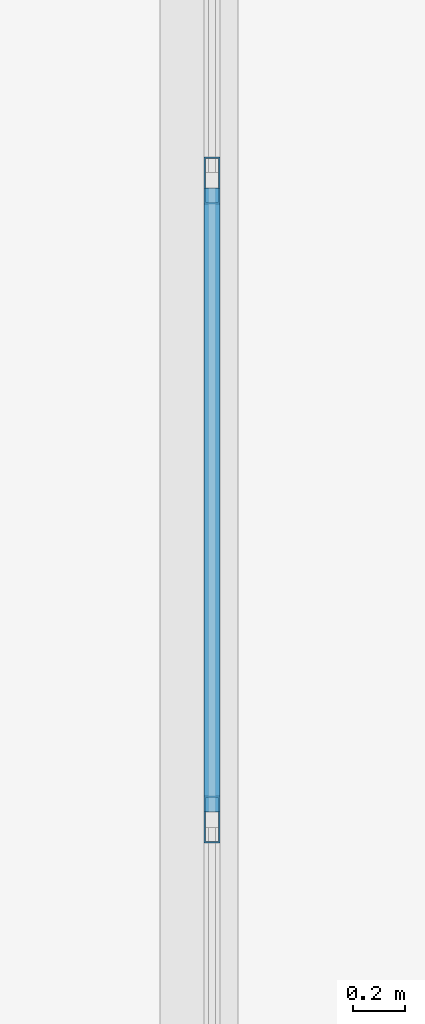
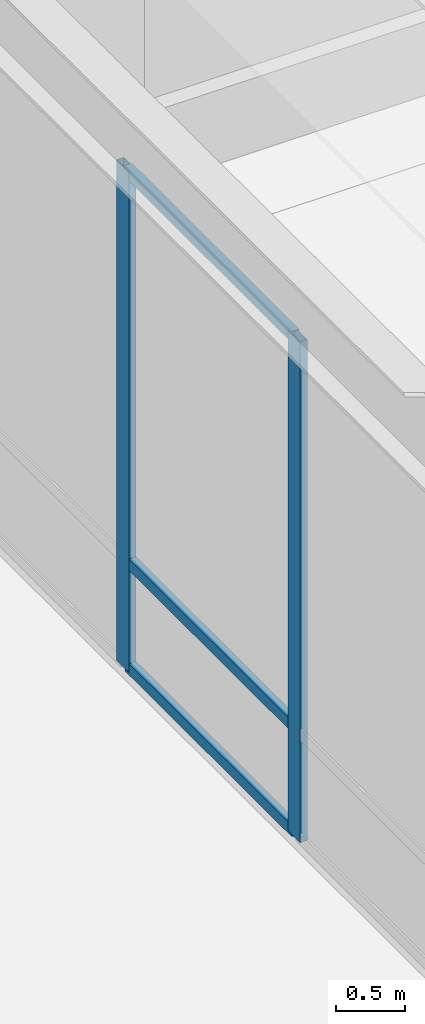
# One storey, part 82 of 143: 5 members, 1 element without a shape of its own.
"""IFC4 building model written with IfcOpenShell, lengths in metres."""

from ifc_helpers import new_model, si_unit, direction, frame, origin, origin_2d, place, context, subcontext, project, spatial, hollow_rectangle, extrude, material, layer, layer_set, material_profile, profile_set, type_object, element, aggregate, save


model = new_model("IFC4")

# Units and contexts
model_context = context("Model", 3, precision=1e-05, world=origin(), true_north=direction((0.0, 1.0)))
body_context = subcontext(model_context, "Body", "Model", "MODEL_VIEW")
ifc_project = project(units=[si_unit("LENGTHUNIT", "METRE"), si_unit("AREAUNIT", "SQUARE_METRE"), si_unit("VOLUMEUNIT", "CUBIC_METRE"), si_unit("PLANEANGLEUNIT", "RADIAN"), si_unit("MASSUNIT", "GRAM", prefix="KILO")], contexts=[model_context])

# Site, building, storey
site_placement = place(None, origin())
site = spatial("IfcSite", under=ifc_project, at=site_placement, CompositionType="ELEMENT")
building_placement = place(site_placement, origin())
building = spatial("IfcBuilding", under=site, at=building_placement, Name="Montelvaro Courts of Justice", CompositionType="ELEMENT")
storey_placement = place(building_placement, origin())
storey = spatial("IfcBuildingStorey", under=building, at=storey_placement, Name="L00", CompositionType="ELEMENT", Elevation=0.0)

# Curtain wall, members
ifc_material = material(Name="Anodised aluminium EN AW-6063", Category="aluminium")
ifc_layer = layer(ifc_material, 0.159912109375)
ifc_layer_set = layer_set([ifc_layer], Name="Anodised aluminium EN AW-6063")
curtain_wall_type = type_object("IfcCurtainWallType", Name="CurtainWall_02_1727x508", PredefinedType="USERDEFINED", material=ifc_layer_set)
curtain_wall_placement = place(storey_placement, origin())
curtain_wall = element("IfcCurtainWall", 1, at=curtain_wall_placement, inside=storey, type_object=curtain_wall_type, Name="Curtain Wall CW-02 (L00)", ObjectType="CURTAIN WALL", PredefinedType="USERDEFINED")
ifc_material_profile_1 = material_profile(ifc_material, hollow_rectangle(XDim=0.06005859375, YDim=0.179931640625, WallThickness=0.00439453125, at=origin_2d()), Name="ALU-M 60x180")
ifc_profile_set_1 = profile_set([ifc_material_profile_1], Name="Anodised aluminium EN AW-6063")
member_type_1 = type_object("IfcMemberType", Name="CurtainWall_Mullion_60x180", PredefinedType="MULLION", material=ifc_profile_set_1)
member_1_placement = place(storey_placement, frame((99.050048828125, 90.70068359375, 0.0), z_axis=(0.0, 0.0, 1.0), x_axis=(1.0, 0.0, 0.0)))
member_1 = element("IfcMember", 2, at=member_1_placement, type_object=member_type_1, Name="CW-02 mullion 3", PredefinedType="MULLION", context=body_context, shape_type="SweptSolid", body=[
    extrude(hollow_rectangle(XDim=0.06005859375, YDim=0.179931640625, WallThickness=0.00439453125, at=origin_2d()), origin(), (0.0, 0.0, 1.0), 4.405029296875),
])
member_2_placement = place(storey_placement, frame((99.050048828125, 88.233642578125, 0.0), z_axis=(0.0, 0.0, 1.0), x_axis=(1.0, 0.0, 0.0)))
member_2 = element("IfcMember", 3, at=member_2_placement, type_object=member_type_1, Name="CW-02 mullion 4", PredefinedType="MULLION", context=body_context, shape_type="SweptSolid", body=[
    extrude(hollow_rectangle(XDim=0.06005859375, YDim=0.179931640625, WallThickness=0.00439453125, at=origin_2d()), origin(), (0.0, 0.0, 1.0), 4.405029296875),
])
ifc_material_profile_2 = material_profile(ifc_material, hollow_rectangle(XDim=0.06005859375, YDim=0.10009765625, WallThickness=0.00341796875, at=origin_2d()), Name="ALU-T 60x100")
ifc_profile_set_2 = profile_set([ifc_material_profile_2], Name="Anodised aluminium EN AW-6063")
member_type_2 = type_object("IfcMemberType", Name="CurtainWall_Transom_60x100", PredefinedType="USERDEFINED", material=ifc_profile_set_2)
member_3_placement = place(storey_placement, frame((99.050048828125, 90.670654296875, 0.030029296875), z_axis=(0.0, -1.0, 0.0), x_axis=(1.0, 0.0, 0.0)))
member_3 = element("IfcMember", 4, at=member_3_placement, type_object=member_type_2, Name="CW-02 transom 3.1", ObjectType="TRANSOM", PredefinedType="USERDEFINED", context=body_context, shape_type="SweptSolid", body=[
    extrude(hollow_rectangle(XDim=0.06005859375, YDim=0.10009765625, WallThickness=0.00341796875, at=origin_2d()), origin(), (0.0, 0.0, 1.0), 2.406982421875),
])
member_4_placement = place(storey_placement, frame((99.050048828125, 90.670654296875, 0.949951171875), z_axis=(0.0, -1.0, 0.0), x_axis=(1.0, 0.0, 0.0)))
member_4 = element("IfcMember", 5, at=member_4_placement, type_object=member_type_2, Name="CW-02 transom 3.2", ObjectType="TRANSOM", PredefinedType="USERDEFINED", context=body_context, shape_type="SweptSolid", body=[
    extrude(hollow_rectangle(XDim=0.06005859375, YDim=0.10009765625, WallThickness=0.00341796875, at=origin_2d()), origin(), (0.0, 0.0, 1.0), 2.406982421875),
])
member_5_placement = place(storey_placement, frame((99.050048828125, 90.670654296875, 4.375), z_axis=(0.0, -1.0, 0.0), x_axis=(1.0, 0.0, 0.0)))
member_5 = element("IfcMember", 6, at=member_5_placement, type_object=member_type_2, Name="CW-02 transom 3.3", ObjectType="TRANSOM", PredefinedType="USERDEFINED", context=body_context, shape_type="SweptSolid", body=[
    extrude(hollow_rectangle(XDim=0.06005859375, YDim=0.10009765625, WallThickness=0.00341796875, at=origin_2d()), origin(), (0.0, 0.0, 1.0), 2.406982421875),
])
aggregate(curtain_wall, [member_1, member_2, member_3, member_4, member_5])

save(model, "model.ifc")
